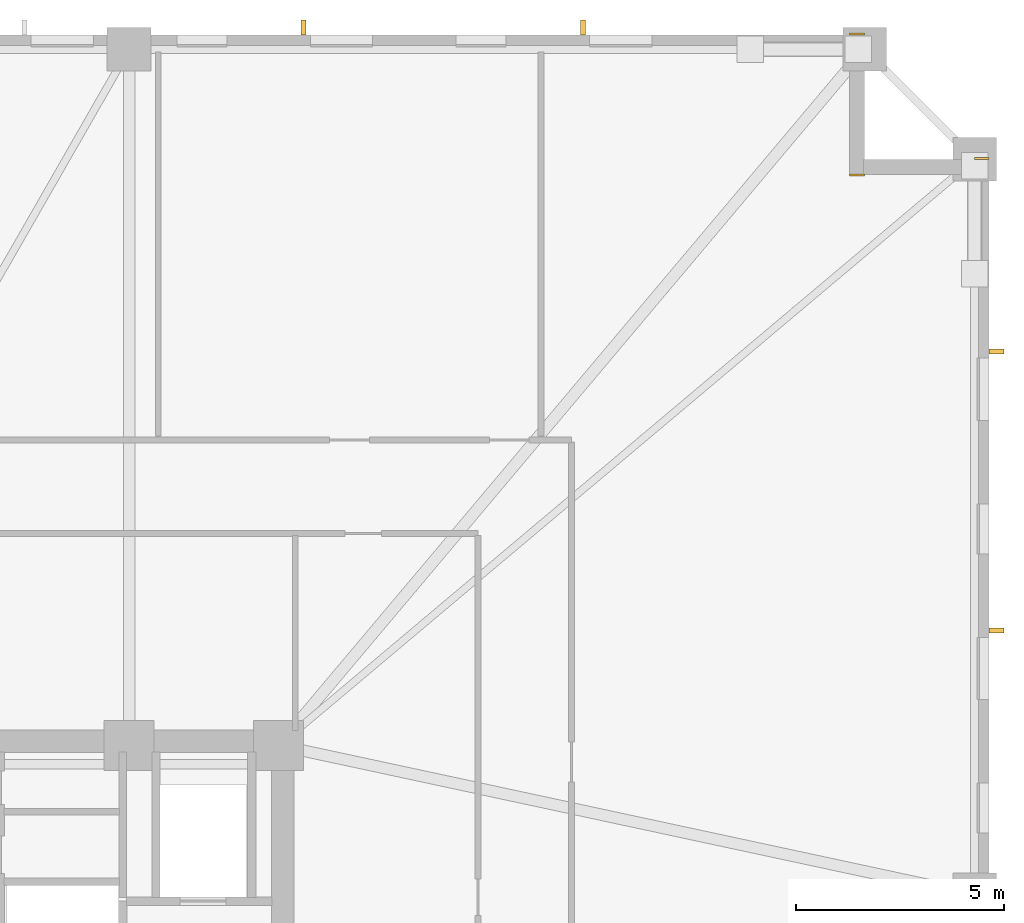
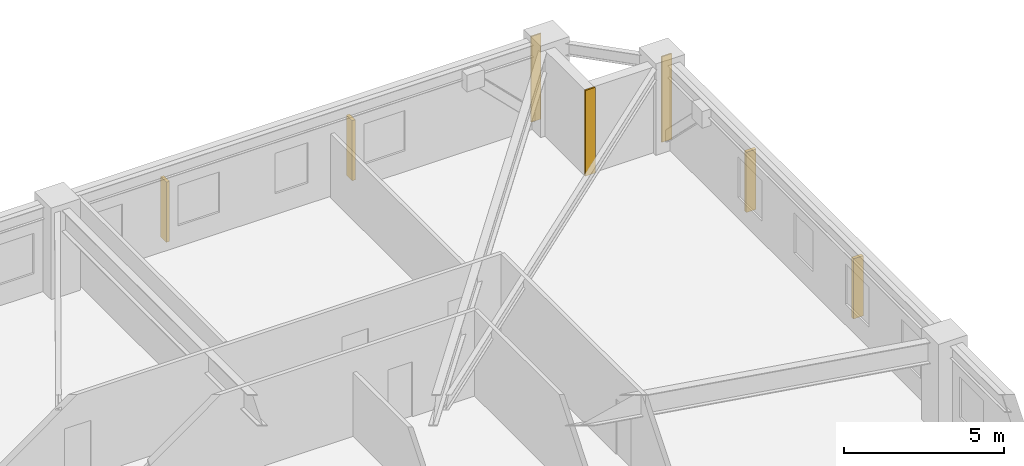
# One storey, part 11 of 11: 4 shading devices, 3 coverings.
"""IFC4 building model written with IfcOpenShell, lengths in metres."""

from ifc_helpers import new_model, si_unit, direction, frame, frame_2d, origin, origin_2d, place, context, subcontext, project, spatial, rectangle, extrude, material, layer, layer_set, type_object, element, save


model = new_model("IFC4")

# Units and contexts
model_context = context("Model", 3, precision=1e-05, world=origin(), true_north=direction((0.0, 1.0)))
body_context = subcontext(model_context, "Body", "Model", "MODEL_VIEW")
ifc_project = project(units=[si_unit("LENGTHUNIT", "METRE"), si_unit("AREAUNIT", "SQUARE_METRE"), si_unit("VOLUMEUNIT", "CUBIC_METRE"), si_unit("PLANEANGLEUNIT", "RADIAN"), si_unit("MASSUNIT", "GRAM", prefix="KILO")], contexts=[model_context])

# Site, building, storey
site_placement = place(None, origin())
site = spatial("IfcSite", under=ifc_project, at=site_placement, CompositionType="ELEMENT")
building_placement = place(site_placement, origin())
building = spatial("IfcBuilding", under=site, at=building_placement, Name="Cairnveth Concourse Tower", CompositionType="ELEMENT")
storey_placement = place(building_placement, frame((0.0, 0.0, 44.5)))
storey = spatial("IfcBuildingStorey", under=building, at=storey_placement, Name="L11", CompositionType="ELEMENT", Elevation=44.5)

# Coverings
ifc_material_1 = material(Name="Dressed Melbourne Bluestone Cladding", Category="masonry")
ifc_layer = layer(ifc_material_1, 0.050048828125)
ifc_layer_set = layer_set([ifc_layer], Name="Dressed Melbourne Bluestone Cladding")
covering_type = type_object("IfcCoveringType", Name="DRESSED BLUESTONE PLINTH CLADDING 50", PredefinedType="CLADDING", material=ifc_layer_set)
for number, where, z_axis, x_axis, name in (
    (1, (74.139892578125, 64.52001953125, 0.0), (0.0, 0.0, 1.0), (1.0, 0.0, 0.0), "Melbourne Bluestone Corner Quoin L11-126"),
    (2, (74.139892578125, 61.1201171875, 0.0), (0.0, 0.0, 1.0), (1.0, 0.0, 0.0), "Melbourne Bluestone Corner Quoin L11-127"),
    (3, (77.139892578125, 61.52001953125, 0.0), (0.0, 0.0, 1.0), (1.0, 0.0, 0.0), "Melbourne Bluestone Corner Quoin L11-128"),
):
    element("IfcCovering", number, at=place(storey_placement, frame(where, z_axis=z_axis, x_axis=x_axis)), inside=storey, type_object=covering_type, Name=name, PredefinedType="CLADDING", context=body_context, shape_type="SweptSolid", body=[
        extrude(rectangle(XDim=0.360107421875, YDim=0.050048828125, at=frame_2d((0.18017578125, 0.0))), origin(), (0.0, 0.0, 1.0), 3.280029296875),
    ])

# Shading devices
ifc_material_2 = material(Name="Architectural Bronze Anodised Aluminium 6063-T6", Category="aluminium")
shading_device_type = type_object("IfcShadingDeviceType", Name="GOTHIC BRONZE VERTICAL LANCET FIN", PredefinedType="USERDEFINED", material=ifc_material_2)
for number, where, z_axis, x_axis, name in (
    (4, (61.00146484375, 64.675048828125, 0.02978515625), (0.0, 0.0, 1.0), (1.0, 0.0, 0.0), "Gothic Bronze Vertical Fin L11-6-9"),
    (5, (67.721923828125, 64.675048828125, 0.02978515625), (0.0, 0.0, 1.0), (1.0, 0.0, 0.0), "Gothic Bronze Vertical Fin L11-6-11"),
    (6, (77.675048828125, 56.8798828125, 0.02978515625), (0.0, 0.0, 1.0), (0.0, 1.0, 0.0), "Gothic Bronze Vertical Fin L11-9-1"),
    (7, (77.675048828125, 50.159423828125, 0.02978515625), (0.0, 0.0, 1.0), (0.0, 1.0, 0.0), "Gothic Bronze Vertical Fin L11-9-3"),
):
    element("IfcShadingDevice", number, at=place(storey_placement, frame(where, z_axis=z_axis, x_axis=x_axis)), inside=storey, type_object=shading_device_type, Name=name, ObjectType="VERTICAL FIN", PredefinedType="USERDEFINED", context=body_context, shape_type="SweptSolid", body=[
        extrude(rectangle(XDim=0.1201171875, YDim=0.360107421875, at=origin_2d()), origin(), (0.0, 0.0, 1.0), 2.303955078125),
    ])

save(model, "model.ifc")
